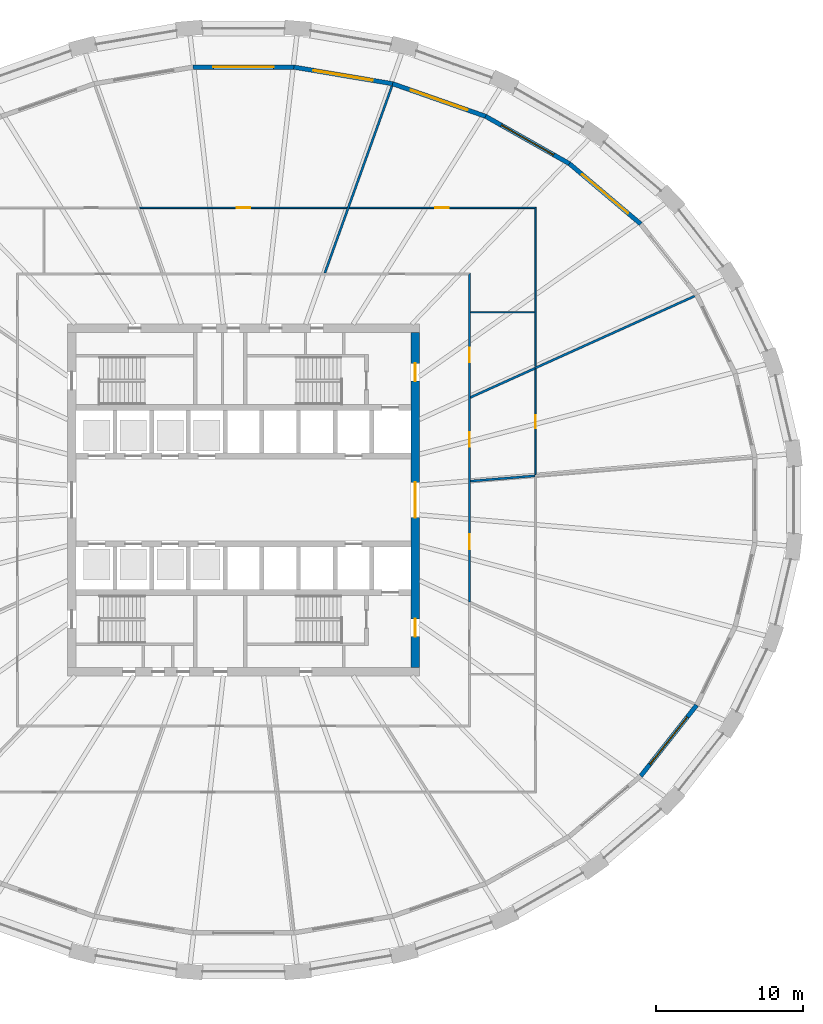
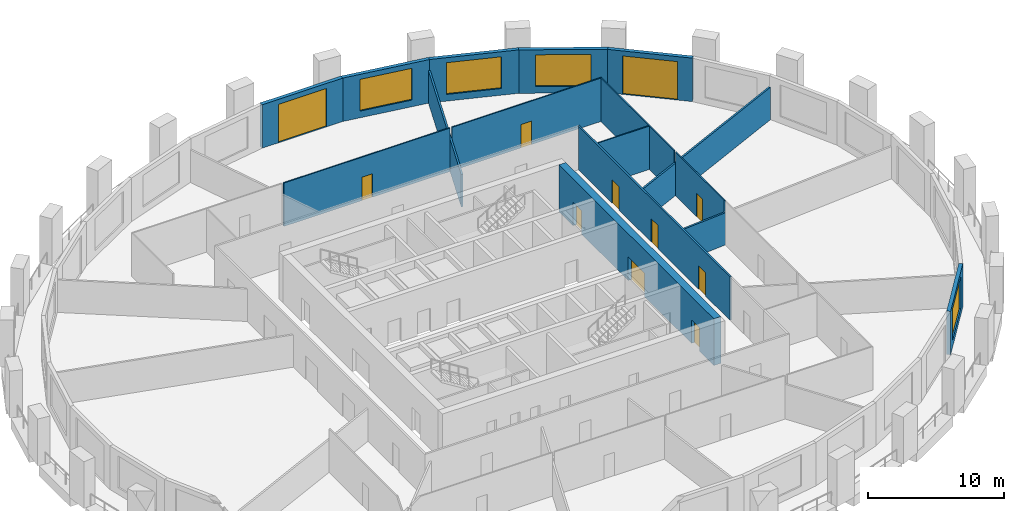
# One storey, part 7 of 11: 17 walls, 11 doors, 4 windows, 15 openings.
"""IFC4 building model written with IfcOpenShell, lengths in metres."""

from ifc_helpers import new_model, si_unit, direction, frame, frame_2d, origin, place, context, subcontext, project, spatial, polyline, rectangle, outline, extrude, material, layer, layer_set, type_object, element, fill, save


model = new_model("IFC4")

# Units and contexts
model_context = context("Model", 3, precision=1e-05, world=origin(), true_north=direction((0.0, 1.0)))
body_context = subcontext(model_context, "Body", "Model", "MODEL_VIEW")
ifc_project = project(units=[si_unit("LENGTHUNIT", "METRE"), si_unit("AREAUNIT", "SQUARE_METRE"), si_unit("VOLUMEUNIT", "CUBIC_METRE"), si_unit("PLANEANGLEUNIT", "RADIAN"), si_unit("MASSUNIT", "GRAM", prefix="KILO")], contexts=[model_context])

# Site, building, storey
site_placement = place(None, origin())
site = spatial("IfcSite", under=ifc_project, at=site_placement, CompositionType="ELEMENT")
building_placement = place(site_placement, origin())
building = spatial("IfcBuilding", under=site, at=building_placement, Name="Halqa Exchange Tower", CompositionType="ELEMENT")
storey_placement = place(building_placement, frame((0.0, 0.0, 40.300048828125)))
storey = spatial("IfcBuildingStorey", under=building, at=storey_placement, Name="L08", CompositionType="ELEMENT", Elevation=40.300048828125)

# Wall
ifc_material_1 = material(Name="Fire-rated gypsum board")
ifc_layer_1 = layer(ifc_material_1, 0.14990234375)
ifc_layer_set_1 = layer_set([ifc_layer_1], Name="Fire-rated gypsum board")
wall_type_1 = type_object("IfcWallType", Name="Fire partition EI 60 150", PredefinedType="PARTITIONING", material=ifc_layer_set_1)
wall_1_placement = place(storey_placement, frame((5.537841796875, 15.449951171875, 0.0), z_axis=(0.0, 0.0, 1.0), x_axis=(0.337949016046, 0.941164418448, 0.0)))
element("IfcWall", 1, at=wall_1_placement, inside=storey, type_object=wall_type_1, Name="L08-PWL-021", PredefinedType="PARTITIONING", context=body_context, shape_type="SweptSolid", body=[
    extrude(outline(polyline([(0.053466796875, -0.074951171875), (1.6376953125, -0.074951171875), (3.2216796875, -0.074951171875), (4.805908203125, -0.074951171875), (4.80810546875, -0.07421875), (4.808349609375, -0.074951171875), (6.55810546875, -0.074951171875), (8.3076171875, -0.074951171875), (10.057373046875, -0.074951171875), (11.80712890625, -0.074951171875), (13.556884765625, -0.074951171875), (13.556884765625, -0.067626953125), (13.556396484375, 0.00048828125), (13.54296875, 0.074951171875), (11.78515625, 0.074951171875), (10.027587890625, 0.074951171875), (8.269775390625, 0.074951171875), (6.511962890625, 0.074951171875), (4.754150390625, 0.074951171875), (4.660400390625, 0.041259765625), (4.648193359375, 0.074951171875), (3.098876953125, 0.074951171875), (1.54931640625, 0.074951171875), (0.0, 0.074951171875), (0.0, 0.07421875), (0.053466796875, -0.074951171875)])), origin(), (0.0, 0.0, 1.0), 2.909912109375),
])

# Wall, openings, doors
wall_2_placement = place(storey_placement, frame((15.39990234375, -6.9599609375, 0.0), z_axis=(0.0, 0.0, 1.0), x_axis=(0.0, 1.0, 0.0)))
wall_2 = element("IfcWall", 2, at=wall_2_placement, inside=storey, type_object=wall_type_1, Name="L08-PWL-027", PredefinedType="PARTITIONING", context=body_context, shape_type="SweptSolid", body=[
    extrude(outline(polyline([(0.0, -0.074951171875), (1.86962890625, -0.074951171875), (3.7392578125, -0.074951171875), (5.608642578125, -0.074951171875), (7.478271484375, -0.074951171875), (9.347900390625, -0.074951171875), (11.21728515625, -0.074951171875), (13.0869140625, -0.074951171875), (14.95654296875, -0.074951171875), (16.826171875, -0.074951171875), (18.69580078125, -0.074951171875), (20.565185546875, -0.074951171875), (22.434814453125, -0.074951171875), (22.284912109375, 0.074951171875), (20.427734375, 0.074951171875), (18.57080078125, 0.074951171875), (16.713623046875, 0.074951171875), (14.856689453125, 0.074951171875), (12.99951171875, 0.074951171875), (11.142578125, 0.074951171875), (9.285400390625, 0.074951171875), (7.42822265625, 0.074951171875), (5.5712890625, 0.074951171875), (3.714111328125, 0.074951171875), (1.857177734375, 0.074951171875), (0.0, 0.074951171875), (0.0, -0.074951171875)])), origin(), (0.0, 0.0, 1.0), 3.89990234375),
])
opening_1_placement = place(wall_2_placement, frame((3.6201171875, 0.0, 0.0)))
opening_1 = element("IfcOpeningElement", 3, at=opening_1_placement, cuts=wall_2, Name="Opening 02-12", PredefinedType="OPENING", context=body_context, shape_type="SweptSolid", body=[
    extrude(rectangle(XDim=1.0, YDim=2.10009765625, at=frame_2d((0.5, 1.050048828125))), frame((0.0, 0.0869140625, 0.0), z_axis=(0.0, -1.0, 0.0), x_axis=(1.0, 0.0, 0.0)), (0.0, 0.0, 1.0), 0.173828125),
])
opening_2_placement = place(wall_2_placement, frame((10.580078125, 0.0, 0.0)))
opening_2 = element("IfcOpeningElement", 4, at=opening_2_placement, cuts=wall_2, Name="Opening 02-13", PredefinedType="OPENING", context=body_context, shape_type="SweptSolid", body=[
    extrude(rectangle(XDim=1.0, YDim=2.10009765625, at=frame_2d((0.5, 1.050048828125))), frame((0.0, 0.0869140625, 0.0), z_axis=(0.0, -1.0, 0.0), x_axis=(1.0, 0.0, 0.0)), (0.0, 0.0, 1.0), 0.173828125),
])
opening_3_placement = place(wall_2_placement, frame((16.3349609375, 0.0, 0.0)))
opening_3 = element("IfcOpeningElement", 5, at=opening_3_placement, cuts=wall_2, Name="Opening 02-15", PredefinedType="OPENING", context=body_context, shape_type="SweptSolid", body=[
    extrude(rectangle(XDim=1.0, YDim=2.10009765625, at=frame_2d((0.5, 1.050048828125))), frame((0.0, 0.0869140625, 0.0), z_axis=(0.0, -1.0, 0.0), x_axis=(1.0, 0.0, 0.0)), (0.0, 0.0, 1.0), 0.173828125),
])
ifc_material_2 = material(Name="Steel fire door leaf", Category="steel")
door_type_1 = type_object("IfcDoorType", Name="Fire door FD30S 1000 x 2100", OperationType="SINGLE_SWING_LEFT", PredefinedType="DOOR", material=ifc_material_2)
door_1_placement = place(opening_1_placement, frame((1.0, 0.0, 0.0), z_axis=(0.0, 0.0, 1.0), x_axis=(-1.0, 0.0, 0.0)))
door_1 = element("IfcDoor", 6, at=door_1_placement, inside=storey, type_object=door_type_1, Name="L08-IDR-012", OperationType="SINGLE_SWING_LEFT", OverallHeight=2.10009765625, OverallWidth=1.0, PredefinedType="DOOR", context=body_context, shape_type="SweptSolid", body=[
    extrude(rectangle(XDim=1.0, YDim=2.10009765625, at=frame_2d((0.5, 1.050048828125))), frame((0.0, 0.02490234375, 0.0), z_axis=(0.0, -1.0, 0.0), x_axis=(1.0, 0.0, 0.0)), (0.0, 0.0, 1.0), 0.050048828125),
])
fill(opening_1, door_1)
door_2_placement = place(opening_2_placement, frame((1.0, 0.0, 0.0), z_axis=(0.0, 0.0, 1.0), x_axis=(-1.0, 0.0, 0.0)))
door_2 = element("IfcDoor", 7, at=door_2_placement, inside=storey, type_object=door_type_1, Name="L08-IDR-013", OperationType="SINGLE_SWING_LEFT", OverallHeight=2.10009765625, OverallWidth=1.0, PredefinedType="DOOR", context=body_context, shape_type="SweptSolid", body=[
    extrude(rectangle(XDim=1.0, YDim=2.10009765625, at=frame_2d((0.5, 1.050048828125))), frame((0.0, 0.02490234375, 0.0), z_axis=(0.0, -1.0, 0.0), x_axis=(1.0, 0.0, 0.0)), (0.0, 0.0, 1.0), 0.050048828125),
])
fill(opening_2, door_2)
door_3_placement = place(opening_3_placement, frame((1.0, 0.0, 0.0), z_axis=(0.0, 0.0, 1.0), x_axis=(-1.0, 0.0, 0.0)))
door_3 = element("IfcDoor", 8, at=door_3_placement, inside=storey, type_object=door_type_1, Name="L08-IDR-015", OperationType="SINGLE_SWING_RIGHT", OverallHeight=2.10009765625, OverallWidth=1.0, PredefinedType="DOOR", context=body_context, shape_type="SweptSolid", body=[
    extrude(rectangle(XDim=1.0, YDim=2.10009765625, at=frame_2d((0.5, 1.050048828125))), frame((0.0, 0.02490234375, 0.0), z_axis=(0.0, -1.0, 0.0), x_axis=(1.0, 0.0, 0.0)), (0.0, 0.0, 1.0), 0.050048828125),
])
fill(opening_3, door_3)

# Walls
wall_3_placement = place(storey_placement, frame((15.46923828125, 1.28564453125, 0.0), z_axis=(0.0, 0.0, 1.0), x_axis=(0.996634800256, 0.081969963512, 0.0)))
element("IfcWall", 9, at=wall_3_placement, inside=storey, type_object=wall_type_1, Name="L08-PWL-029", PredefinedType="PARTITIONING", context=body_context, shape_type="SweptSolid", body=[
    extrude(outline(polyline([(0.0, -0.074951171875), (1.463134765625, -0.074951171875), (2.92626953125, -0.074951171875), (4.389404296875, -0.074951171875), (4.389404296875, -0.07470703125), (4.392578125, -0.074951171875), (4.396240234375, -0.074951171875), (4.396240234375, 0.074951171875), (2.934814453125, 0.074951171875), (1.473388671875, 0.074951171875), (0.011962890625, 0.074951171875), (0.0, -0.0703125), (0.0, -0.074951171875)])), origin(), (0.0, 0.0, 1.0), 2.891845703125),
])
wall_4_placement = place(storey_placement, frame((15.444091796875, 6.97998046875, 0.0), z_axis=(0.0, 0.0, 1.0), x_axis=(0.911543776443, 0.411203044285, 0.0)))
element("IfcWall", 10, at=wall_4_placement, inside=storey, type_object=wall_type_1, Name="L08-PWL-030", PredefinedType="PARTITIONING", context=body_context, shape_type="SweptSolid", body=[
    extrude(outline(polyline([(0.0, -0.074951171875), (1.599853515625, -0.074951171875), (3.19970703125, -0.074951171875), (4.799560546875, -0.074951171875), (4.800048828125, -0.07373046875), (4.802490234375, -0.074951171875), (4.84228515625, -0.074951171875), (4.84228515625, 0.074951171875), (3.250732421875, 0.074951171875), (1.6591796875, 0.074951171875), (0.067626953125, 0.074951171875), (0.0, -0.074951171875)])), origin(), (0.0, 0.0, 1.0), 2.909912109375),
])
wall_5_placement = place(storey_placement, frame((19.8544921875, 8.9794921875, 0.0), z_axis=(0.0, 0.0, 1.0), x_axis=(0.911433390516, 0.411447657245, 0.0)))
element("IfcWall", 11, at=wall_5_placement, inside=storey, type_object=wall_type_1, Name="L08-PWL-039", PredefinedType="PARTITIONING", context=body_context, shape_type="SweptSolid", body=[
    extrude(outline(polyline([(11.947998046875, -0.074951171875), (11.947998046875, -0.06298828125), (11.946044921875, 0.00146484375), (11.927490234375, 0.074951171875), (9.962646484375, 0.074951171875), (7.998046875, 0.074951171875), (6.033203125, 0.074951171875), (4.068359375, 0.074951171875), (2.103515625, 0.074951171875), (0.138671875, 0.074951171875), (0.1376953125, 0.07275390625), (0.1328125, 0.074951171875), (0.0, 0.074951171875), (0.0, -0.043212890625), (0.070068359375, -0.074951171875), (2.0498046875, -0.074951171875), (4.029296875, -0.074951171875), (6.009033203125, -0.074951171875), (7.98876953125, -0.074951171875), (9.96826171875, -0.074951171875), (11.947998046875, -0.074951171875)])), origin(), (0.0, 0.0, 1.0), 2.909912109375),
])

# Wall, opening, door
ifc_material_3 = material(Name="Gypsum board")
ifc_layer_2 = layer(ifc_material_3, 0.10009765625)
ifc_layer_set_2 = layer_set([ifc_layer_2], Name="Gypsum board")
wall_type_2 = type_object("IfcWallType", Name="Partition 100 gypsum", PredefinedType="PARTITIONING", material=ifc_layer_set_2)
wall_6_placement = place(storey_placement, frame((-7.073974609375, 19.89990234375, 0.0), z_axis=(0.0, 0.0, 1.0), x_axis=(1.0, 0.0, 0.0)))
wall_6 = element("IfcWall", 12, at=wall_6_placement, inside=storey, type_object=wall_type_2, Name="L08-PWL-017", PredefinedType="PARTITIONING", context=body_context, shape_type="SweptSolid", body=[
    extrude(outline(polyline([(0.035888671875, -0.050048828125), (1.79541015625, -0.050048828125), (3.554931640625, -0.050048828125), (5.314453125, -0.050048828125), (7.073974609375, -0.050048828125), (8.83349609375, -0.050048828125), (10.593017578125, -0.050048828125), (12.3525390625, -0.050048828125), (14.112060546875, -0.050048828125), (14.14794921875, 0.050048828125), (14.14794921875, 0.050048828125), (12.37939453125, 0.050048828125), (10.61083984375, 0.050048828125), (8.842529296875, 0.050048828125), (7.073974609375, 0.050048828125), (5.305419921875, 0.050048828125), (3.537109375, 0.050048828125), (1.7685546875, 0.050048828125), (0.0, 0.050048828125), (0.0, 0.050048828125), (0.035888671875, -0.050048828125)])), origin(), (0.0, 0.0, 1.0), 3.89990234375),
])
opening_4_placement = place(wall_6_placement, frame((6.6240234375, 0.0, 0.0)))
opening_4 = element("IfcOpeningElement", 13, at=opening_4_placement, cuts=wall_6, Name="Opening 02-26", PredefinedType="OPENING", context=body_context, shape_type="SweptSolid", body=[
    extrude(rectangle(XDim=0.89990234375, YDim=2.10009765625, at=frame_2d((0.449951171875, 1.050048828125))), frame((0.0, 0.06201171875, 0.0), z_axis=(0.0, -1.0, 0.0), x_axis=(1.0, 0.0, 0.0)), (0.0, 0.0, 1.0), 0.1240234375),
])
ifc_material_4 = material(Name="Timber door leaf", Category="wood")
door_type_2 = type_object("IfcDoorType", Name="Door 900 x 2100", OperationType="SINGLE_SWING_LEFT", PredefinedType="DOOR", material=ifc_material_4)
door_4_placement = place(opening_4_placement, frame((0.89990234375, 0.0, 0.0), z_axis=(0.0, 0.0, 1.0), x_axis=(-1.0, 0.0, 0.0)))
door_4 = element("IfcDoor", 14, at=door_4_placement, inside=storey, type_object=door_type_2, Name="L08-IDR-026", OperationType="SINGLE_SWING_LEFT", OverallHeight=2.10009765625, OverallWidth=0.89990234375, PredefinedType="DOOR", context=body_context, shape_type="SweptSolid", body=[
    extrude(rectangle(XDim=0.89990234375, YDim=2.10009765625, at=frame_2d((0.449951171875, 1.050048828125))), frame((0.0, 0.02490234375, 0.0), z_axis=(0.0, -1.0, 0.0), x_axis=(1.0, 0.0, 0.0)), (0.0, 0.0, 1.0), 0.050048828125),
])
fill(opening_4, door_4)

wall_7_placement = place(storey_placement, frame((7.197998046875, 19.89990234375, 0.0), z_axis=(0.0, 0.0, 1.0), x_axis=(1.0, 0.0, 0.0)))
wall_7 = element("IfcWall", 15, at=wall_7_placement, inside=storey, type_object=wall_type_2, Name="L08-PWL-022", PredefinedType="PARTITIONING", context=body_context, shape_type="SweptSolid", body=[
    extrude(outline(polyline([(0.0, -0.050048828125), (1.807373046875, -0.050048828125), (3.61474609375, -0.050048828125), (5.422119140625, -0.050048828125), (7.229736328125, -0.050048828125), (9.037109375, -0.050048828125), (10.844482421875, -0.050048828125), (12.65185546875, -0.050048828125), (12.652099609375, -0.0498046875), (12.751953125, 0.050048828125), (10.935302734375, 0.050048828125), (9.11865234375, 0.050048828125), (7.302001953125, 0.050048828125), (5.4853515625, 0.050048828125), (3.668701171875, 0.050048828125), (1.85205078125, 0.050048828125), (0.035400390625, 0.050048828125), (0.0, -0.048583984375), (0.0, -0.050048828125)])), origin(), (0.0, 0.0, 1.0), 3.89990234375),
])
opening_5_placement = place(wall_7_placement, frame((5.8720703125, 0.0, 0.0)))
opening_5 = element("IfcOpeningElement", 16, at=opening_5_placement, cuts=wall_7, Name="Opening 02-25", PredefinedType="OPENING", context=body_context, shape_type="SweptSolid", body=[
    extrude(rectangle(XDim=0.89990234375, YDim=2.10009765625, at=frame_2d((0.449951171875, 1.050048828125))), frame((0.0, 0.06201171875, 0.0), z_axis=(0.0, -1.0, 0.0), x_axis=(1.0, 0.0, 0.0)), (0.0, 0.0, 1.0), 0.1240234375),
])
door_5_placement = place(opening_5_placement, frame((0.89990234375, 0.0, 0.0), z_axis=(0.0, 0.0, 1.0), x_axis=(-1.0, 0.0, 0.0)))
door_5 = element("IfcDoor", 17, at=door_5_placement, inside=storey, type_object=door_type_2, Name="L08-IDR-025", OperationType="SINGLE_SWING_LEFT", OverallHeight=2.10009765625, OverallWidth=0.89990234375, PredefinedType="DOOR", context=body_context, shape_type="SweptSolid", body=[
    extrude(rectangle(XDim=0.89990234375, YDim=2.10009765625, at=frame_2d((0.449951171875, 1.050048828125))), frame((0.0, 0.02490234375, 0.0), z_axis=(0.0, -1.0, 0.0), x_axis=(1.0, 0.0, 0.0)), (0.0, 0.0, 1.0), 0.050048828125),
])
fill(opening_5, door_5)

wall_8_placement = place(storey_placement, frame((19.89990234375, 8.93994140625, 0.0), z_axis=(0.0, 0.0, 1.0), x_axis=(0.0, -1.0, 0.0)))
wall_8 = element("IfcWall", 18, at=wall_8_placement, inside=storey, type_object=wall_type_2, Name="L08-PWL-037", PredefinedType="PARTITIONING", context=body_context, shape_type="SweptSolid", body=[
    extrude(outline(polyline([(7.20849609375, -0.050048828125), (7.20849609375, -0.045654296875), (7.20068359375, 0.050048828125), (5.400390625, 0.050048828125), (3.600341796875, 0.050048828125), (1.800048828125, 0.050048828125), (0.0, 0.050048828125), (0.0, 0.04931640625), (0.02880859375, -0.0146484375), (0.0, -0.027587890625), (0.0, -0.02783203125), (0.037353515625, -0.010986328125), (0.054931640625, -0.050048828125), (1.84326171875, -0.050048828125), (3.631591796875, -0.050048828125), (5.420166015625, -0.050048828125), (7.20849609375, -0.050048828125)])), origin(), (0.0, 0.0, 1.0), 3.89990234375),
])
opening_6_placement = place(wall_8_placement, frame((3.1650390625, 0.0, 0.0)))
opening_6 = element("IfcOpeningElement", 19, at=opening_6_placement, cuts=wall_8, Name="Opening 02-24", PredefinedType="OPENING", context=body_context, shape_type="SweptSolid", body=[
    extrude(rectangle(XDim=0.89990234375, YDim=2.10009765625, at=frame_2d((0.449951171875, 1.050048828125))), frame((0.0, 0.06201171875, 0.0), z_axis=(0.0, -1.0, 0.0), x_axis=(1.0, 0.0, 0.0)), (0.0, 0.0, 1.0), 0.1240234375),
])
door_6_placement = place(opening_6_placement, frame((0.89990234375, 0.0, 0.0), z_axis=(0.0, 0.0, 1.0), x_axis=(-1.0, 0.0, 0.0)))
door_6 = element("IfcDoor", 20, at=door_6_placement, inside=storey, type_object=door_type_2, Name="L08-IDR-024", OperationType="SINGLE_SWING_LEFT", OverallHeight=2.10009765625, OverallWidth=0.89990234375, PredefinedType="DOOR", context=body_context, shape_type="SweptSolid", body=[
    extrude(rectangle(XDim=0.89990234375, YDim=2.10009765625, at=frame_2d((0.449951171875, 1.050048828125))), frame((0.0, 0.02490234375, 0.0), z_axis=(0.0, -1.0, 0.0), x_axis=(1.0, 0.0, 0.0)), (0.0, 0.0, 1.0), 0.050048828125),
])
fill(opening_6, door_6)

# Walls
wall_9_placement = place(storey_placement, frame((19.89990234375, 9.1025390625, 0.0), z_axis=(0.0, 0.0, 1.0), x_axis=(0.0, 1.0, 0.0)))
element("IfcWall", 21, at=wall_9_placement, inside=storey, type_object=wall_type_2, Name="L08-PWL-038", PredefinedType="PARTITIONING", context=body_context, shape_type="SweptSolid", body=[
    extrude(outline(polyline([(0.0, -0.050048828125), (1.807861328125, -0.050048828125), (3.61572265625, -0.050048828125), (5.423828125, -0.050048828125), (7.231689453125, -0.050048828125), (9.03955078125, -0.050048828125), (10.847412109375, -0.050048828125), (10.747314453125, 0.050048828125), (8.9560546875, 0.050048828125), (7.164794921875, 0.050048828125), (5.37353515625, 0.050048828125), (3.58251953125, 0.050048828125), (1.791259765625, 0.050048828125), (0.0, 0.050048828125), (0.0, -0.050048828125)])), origin(), (0.0, 0.0, 1.0), 3.89990234375),
])
wall_10_placement = place(storey_placement, frame((19.85009765625, 12.7900390625, 0.0), z_axis=(0.0, 0.0, 1.0), x_axis=(-1.0, 0.0, 0.0)))
element("IfcWall", 22, at=wall_10_placement, inside=storey, type_object=wall_type_2, Name="L08-PWL-040", PredefinedType="PARTITIONING", context=body_context, shape_type="SweptSolid", body=[
    extrude(rectangle(XDim=4.375, YDim=0.10009765625, at=frame_2d((2.1875, 0.0))), origin(), (0.0, 0.0, 1.0), 3.89990234375),
])

# Wall, openings, doors
ifc_material_5 = material(Name="Concrete C80/95", Category="concrete")
ifc_layer_3 = layer(ifc_material_5, 0.60009765625)
ifc_layer_set_3 = layer_set([ifc_layer_3], Name="Concrete C80/95")
wall_type_3 = type_object("IfcWallType", Name="RC core wall 600 C80/95", PredefinedType="SHEAR", material=ifc_layer_set_3)
wall_11_placement = place(storey_placement, frame((11.699951171875, -11.39990234375, 0.0), z_axis=(0.0, 0.0, 1.0), x_axis=(0.0, 1.0, 0.0)))
wall_11 = element("IfcWall", 23, at=wall_11_placement, inside=storey, type_object=wall_type_3, Name="Core wall east", PredefinedType="SHEAR", context=body_context, shape_type="SweptSolid", body=[
    extrude(rectangle(XDim=22.7998046875, YDim=0.60009765625, at=frame_2d((11.39990234375, 0.0))), origin(), (0.0, 0.0, 1.0), 4.199951171875),
])
opening_7_placement = place(wall_11_placement, frame((10.199951171875, 0.0, 0.0)))
opening_7 = element("IfcOpeningElement", 24, at=opening_7_placement, cuts=wall_11, Name="Opening T02-C14", PredefinedType="OPENING", context=body_context, shape_type="SweptSolid", body=[
    extrude(rectangle(XDim=2.39990234375, YDim=2.10009765625, at=frame_2d((1.199951171875, 1.050048828125))), frame((0.0, 0.31201171875, 0.0), z_axis=(0.0, -1.0, 0.0), x_axis=(1.0, 0.0, 0.0)), (0.0, 0.0, 1.0), 0.6240234375),
])
opening_8_placement = place(wall_11_placement, frame((19.5, 0.0, 0.0)))
opening_8 = element("IfcOpeningElement", 25, at=opening_8_placement, cuts=wall_11, Name="Opening T02-C19", PredefinedType="OPENING", context=body_context, shape_type="SweptSolid", body=[
    extrude(rectangle(XDim=1.199951171875, YDim=2.10009765625, at=frame_2d((0.60009765625, 1.050048828125))), frame((0.0, 0.31201171875, 0.0), z_axis=(0.0, -1.0, 0.0), x_axis=(1.0, 0.0, 0.0)), (0.0, 0.0, 1.0), 0.6240234375),
])
opening_9_placement = place(wall_11_placement, frame((2.10009765625, 0.0, 0.0)))
opening_9 = element("IfcOpeningElement", 26, at=opening_9_placement, cuts=wall_11, Name="Opening T02-C20", PredefinedType="OPENING", context=body_context, shape_type="SweptSolid", body=[
    extrude(rectangle(XDim=1.199951171875, YDim=2.10009765625, at=frame_2d((0.60009765625, 1.050048828125))), frame((0.0, 0.31201171875, 0.0), z_axis=(0.0, -1.0, 0.0), x_axis=(1.0, 0.0, 0.0)), (0.0, 0.0, 1.0), 0.6240234375),
])
door_type_3 = type_object("IfcDoorType", Name="Firefighting lobby door FD90 1200 x 2100", OperationType="SINGLE_SWING_RIGHT", PredefinedType="DOOR", material=ifc_material_2)
door_7_placement = place(opening_8_placement, origin())
door_7 = element("IfcDoor", 27, at=door_7_placement, inside=storey, type_object=door_type_3, Name="Firefighting lobby door", OperationType="SINGLE_SWING_RIGHT", OverallHeight=2.10009765625, OverallWidth=1.199951171875, PredefinedType="DOOR", context=body_context, shape_type="SweptSolid", body=[
    extrude(rectangle(XDim=1.199951171875, YDim=2.10009765625, at=frame_2d((0.60009765625, 1.050048828125))), frame((0.0, 0.02490234375, 0.0), z_axis=(0.0, -1.0, 0.0), x_axis=(1.0, 0.0, 0.0)), (0.0, 0.0, 1.0), 0.050048828125),
])
fill(opening_8, door_7)
door_8_placement = place(opening_9_placement, origin())
door_8 = element("IfcDoor", 28, at=door_8_placement, inside=storey, type_object=door_type_3, Name="Firefighting lobby door", OperationType="SINGLE_SWING_LEFT", OverallHeight=2.10009765625, OverallWidth=1.199951171875, PredefinedType="DOOR", context=body_context, shape_type="SweptSolid", body=[
    extrude(rectangle(XDim=1.199951171875, YDim=2.10009765625, at=frame_2d((0.60009765625, 1.050048828125))), frame((0.0, 0.02490234375, 0.0), z_axis=(0.0, -1.0, 0.0), x_axis=(1.0, 0.0, 0.0)), (0.0, 0.0, 1.0), 0.050048828125),
])
fill(opening_9, door_8)
door_type_4 = type_object("IfcDoorType", Name="Lobby double door FD60 2400 x 2100", OperationType="DOUBLE_DOOR_SINGLE_SWING", PredefinedType="DOOR", material=ifc_material_2)
door_9_placement = place(opening_7_placement, origin())
door_9 = element("IfcDoor", 29, at=door_9_placement, inside=storey, type_object=door_type_4, Name="Lift lobby double door", OperationType="DOUBLE_DOOR_SINGLE_SWING", OverallHeight=2.10009765625, OverallWidth=2.39990234375, PredefinedType="DOOR", context=body_context, shape_type="SweptSolid", body=[
    extrude(rectangle(XDim=2.39990234375, YDim=2.10009765625, at=frame_2d((1.199951171875, 1.050048828125))), frame((0.0, 0.02490234375, 0.0), z_axis=(0.0, -1.0, 0.0), x_axis=(1.0, 0.0, 0.0)), (0.0, 0.0, 1.0), 0.050048828125),
])
fill(opening_7, door_9)

# Wall, opening, door
ifc_material_6 = material(Name="Limestone cladding", Category="masonry")
ifc_layer_4 = layer(ifc_material_6, 0.0400390625)
ifc_material_7 = material(Name="Ventilated cavity")
ifc_layer_5 = layer(ifc_material_7, 0.030029296875, ventilated=True)
ifc_material_8 = material(Name="Mineral wool insulation")
ifc_layer_6 = layer(ifc_material_8, 0.10009765625)
ifc_material_9 = material(Name="Concrete C30/37", Category="concrete")
ifc_layer_7 = layer(ifc_material_9, 0.10009765625)
ifc_material_10 = material(Name="Internal plaster")
ifc_layer_8 = layer(ifc_material_10, 0.030029296875)
ifc_layer_set_4 = layer_set([ifc_layer_4, ifc_layer_5, ifc_layer_6, ifc_layer_7, ifc_layer_8], Name="Stone-faced insulated wall 300")
wall_type_4 = type_object("IfcWallType", Name="Stone-faced insulated wall 300", PredefinedType="STANDARD", material=ifc_layer_set_4)
wall_12_placement = place(storey_placement, frame((27.053955078125, 18.8056640625, 0.0), z_axis=(0.0, 0.0, 1.0), x_axis=(-0.763577077796, 0.645716691951, 0.0)))
wall_12 = element("IfcWall", 30, at=wall_12_placement, inside=storey, type_object=wall_type_4, Name="Glass-line wall 4", PredefinedType="STANDARD", context=body_context, shape_type="SweptSolid", body=[
    extrude(outline(polyline([(-0.01513671875, -0.14990234375), (6.371337890625, -0.14990234375), (6.343017578125, 0.14990234375), (0.01513671875, 0.14990234375), (-0.01513671875, -0.14990234375)])), origin(), (0.0, 0.0, 1.0), 3.89990234375),
])
opening_10_placement = place(wall_12_placement, frame((1.128662109375, 0.0, 0.0)))
opening_10 = element("IfcOpeningElement", 31, at=opening_10_placement, cuts=wall_12, Name="Opening LG-F1-01", PredefinedType="OPENING", context=body_context, shape_type="SweptSolid", body=[
    extrude(rectangle(XDim=4.10009765625, YDim=3.449951171875, at=frame_2d((2.050048828125, 1.72509765625))), frame((0.0, 0.162109375, 0.0), z_axis=(0.0, -1.0, 0.0), x_axis=(1.0, 0.0, 0.0)), (0.0, 0.0, 1.0), 0.323974609375),
])
ifc_material_11 = material(Name="Clear low-emissivity glass in aluminium frame", Category="aluminium")
door_type_5 = type_object("IfcDoorType", Name="Glazed sliding loggia door 4100 x 3450", OperationType="DOUBLE_DOOR_SLIDING", PredefinedType="DOOR", material=ifc_material_11)
door_10_placement = place(opening_10_placement, origin())
door_10 = element("IfcDoor", 32, at=door_10_placement, inside=storey, type_object=door_type_5, Name="Loggia door 1", OperationType="DOUBLE_DOOR_SLIDING", OverallHeight=3.449951171875, OverallWidth=4.10009765625, PredefinedType="DOOR", context=body_context, shape_type="SweptSolid", body=[
    extrude(rectangle(XDim=4.10009765625, YDim=3.449951171875, at=frame_2d((2.050048828125, 1.72509765625))), frame((0.0, 0.02490234375, 0.0), z_axis=(0.0, -1.0, 0.0), x_axis=(1.0, 0.0, 0.0)), (0.0, 0.0, 1.0), 0.050048828125),
])
fill(opening_10, door_10)

# Wall, opening, window
wall_13_placement = place(storey_placement, frame((22.19970703125, 22.91064453125, 0.0), z_axis=(0.0, 0.0, 1.0), x_axis=(-0.87061279013, 0.491968870623, 0.0)))
wall_13 = element("IfcWall", 33, at=wall_13_placement, inside=storey, type_object=wall_type_4, Name="Glass-line wall 5", PredefinedType="STANDARD", context=body_context, shape_type="SweptSolid", body=[
    extrude(outline(polyline([(-0.01416015625, -0.14990234375), (6.56689453125, -0.14990234375), (6.5400390625, 0.14990234375), (0.01416015625, 0.14990234375), (-0.01416015625, -0.14990234375)])), origin(), (0.0, 0.0, 1.0), 3.89990234375),
])
opening_11_placement = place(wall_13_placement, frame((1.226806640625, 0.0, 0.60009765625)))
opening_11 = element("IfcOpeningElement", 34, at=opening_11_placement, cuts=wall_13, Name="Opening W-F1-05", PredefinedType="OPENING", context=body_context, shape_type="SweptSolid", body=[
    extrude(rectangle(XDim=4.10009765625, YDim=2.85009765625, at=frame_2d((2.050048828125, 1.425048828125))), frame((0.0, 0.162109375, 0.0), z_axis=(0.0, -1.0, 0.0), x_axis=(1.0, 0.0, 0.0)), (0.0, 0.0, 1.0), 0.323974609375),
])
window_type = type_object("IfcWindowType", Name="Fixed clear glazed window 4100 x 2850", PartitioningType="TRIPLE_PANEL_VERTICAL", PredefinedType="WINDOW", material=ifc_material_11)
window_1_placement = place(opening_11_placement, origin())
window_1 = element("IfcWindow", 35, at=window_1_placement, inside=storey, type_object=window_type, Name="Window 1", OverallHeight=2.85009765625, OverallWidth=4.10009765625, PartitioningType="TRIPLE_PANEL_VERTICAL", PredefinedType="WINDOW", context=body_context, shape_type="SweptSolid", body=[
    extrude(rectangle(XDim=4.10009765625, YDim=2.85009765625, at=frame_2d((2.050048828125, 1.425048828125))), frame((0.0, 0.030029296875, 0.0), z_axis=(0.0, -1.0, 0.0), x_axis=(1.0, 0.0, 0.0)), (0.0, 0.0, 1.0), 0.06005859375),
])
fill(opening_11, window_1)

wall_14_placement = place(storey_placement, frame((16.494140625, 26.134765625, 0.0), z_axis=(0.0, 0.0, 1.0), x_axis=(-0.943778979427, 0.330577128657, 0.0)))
wall_14 = element("IfcWall", 36, at=wall_14_placement, inside=storey, type_object=wall_type_4, Name="Glass-line wall 6", PredefinedType="STANDARD", context=body_context, shape_type="SweptSolid", body=[
    extrude(outline(polyline([(-0.013427734375, -0.14990234375), (6.72802734375, -0.14990234375), (6.70263671875, 0.14990234375), (0.013427734375, 0.14990234375), (-0.013427734375, -0.14990234375)])), origin(), (0.0, 0.0, 1.0), 3.89990234375),
])
opening_12_placement = place(wall_14_placement, frame((1.3076171875, 0.0, 0.60009765625)))
opening_12 = element("IfcOpeningElement", 37, at=opening_12_placement, cuts=wall_14, Name="Opening W-F1-06", PredefinedType="OPENING", context=body_context, shape_type="SweptSolid", body=[
    extrude(rectangle(XDim=4.10009765625, YDim=2.85009765625, at=frame_2d((2.050048828125, 1.425048828125))), frame((0.0, 0.162109375, 0.0), z_axis=(0.0, -1.0, 0.0), x_axis=(1.0, 0.0, 0.0)), (0.0, 0.0, 1.0), 0.323974609375),
])
window_2_placement = place(opening_12_placement, origin())
window_2 = element("IfcWindow", 38, at=window_2_placement, inside=storey, type_object=window_type, Name="Window 1", OverallHeight=2.85009765625, OverallWidth=4.10009765625, PartitioningType="TRIPLE_PANEL_VERTICAL", PredefinedType="WINDOW", context=body_context, shape_type="SweptSolid", body=[
    extrude(rectangle(XDim=4.10009765625, YDim=2.85009765625, at=frame_2d((2.050048828125, 1.425048828125))), frame((0.0, 0.030029296875, 0.0), z_axis=(0.0, -1.0, 0.0), x_axis=(1.0, 0.0, 0.0)), (0.0, 0.0, 1.0), 0.06005859375),
])
fill(opening_12, window_2)

wall_15_placement = place(storey_placement, frame((10.15625, 28.354736328125, 0.0), z_axis=(0.0, 0.0, 1.0), x_axis=(-0.986145179906, 0.165884550659, 0.0)))
wall_15 = element("IfcWall", 39, at=wall_15_placement, inside=storey, type_object=wall_type_4, Name="Glass-line wall 7", PredefinedType="STANDARD", context=body_context, shape_type="SweptSolid", body=[
    extrude(outline(polyline([(-0.0126953125, -0.14990234375), (6.833984375, -0.14990234375), (6.80908203125, 0.14990234375), (0.0126953125, 0.14990234375), (-0.0126953125, -0.14990234375)])), origin(), (0.0, 0.0, 1.0), 3.89990234375),
])
opening_13_placement = place(wall_15_placement, frame((1.36083984375, 0.0, 0.60009765625)))
opening_13 = element("IfcOpeningElement", 40, at=opening_13_placement, cuts=wall_15, Name="Opening W-F1-07", PredefinedType="OPENING", context=body_context, shape_type="SweptSolid", body=[
    extrude(rectangle(XDim=4.10009765625, YDim=2.85009765625, at=frame_2d((2.050048828125, 1.425048828125))), frame((0.0, 0.162109375, 0.0), z_axis=(0.0, -1.0, 0.0), x_axis=(1.0, 0.0, 0.0)), (0.0, 0.0, 1.0), 0.323974609375),
])
window_3_placement = place(opening_13_placement, origin())
window_3 = element("IfcWindow", 41, at=window_3_placement, inside=storey, type_object=window_type, Name="Window 1", OverallHeight=2.85009765625, OverallWidth=4.10009765625, PartitioningType="TRIPLE_PANEL_VERTICAL", PredefinedType="WINDOW", context=body_context, shape_type="SweptSolid", body=[
    extrude(rectangle(XDim=4.10009765625, YDim=2.85009765625, at=frame_2d((2.050048828125, 1.425048828125))), frame((0.0, 0.030029296875, 0.0), z_axis=(0.0, -1.0, 0.0), x_axis=(1.0, 0.0, 0.0)), (0.0, 0.0, 1.0), 0.06005859375),
])
fill(opening_13, window_3)

# Wall, opening, door
wall_16_placement = place(storey_placement, frame((3.42919921875, 29.486328125, 0.0), z_axis=(0.0, 0.0, 1.0), x_axis=(-1.0, 0.0, 0.0)))
wall_16 = element("IfcWall", 42, at=wall_16_placement, inside=storey, type_object=wall_type_4, Name="Glass-line wall 8", PredefinedType="STANDARD", context=body_context, shape_type="SweptSolid", body=[
    extrude(outline(polyline([(-0.012451171875, -0.14990234375), (6.870849609375, -0.14990234375), (6.845947265625, 0.14990234375), (0.012451171875, 0.14990234375), (-0.012451171875, -0.14990234375)])), origin(), (0.0, 0.0, 1.0), 3.89990234375),
])
opening_14_placement = place(wall_16_placement, frame((1.379150390625, 0.0, 0.0)))
opening_14 = element("IfcOpeningElement", 43, at=opening_14_placement, cuts=wall_16, Name="Opening LG-F1-02", PredefinedType="OPENING", context=body_context, shape_type="SweptSolid", body=[
    extrude(rectangle(XDim=4.10009765625, YDim=3.449951171875, at=frame_2d((2.050048828125, 1.72509765625))), frame((0.0, 0.162109375, 0.0), z_axis=(0.0, -1.0, 0.0), x_axis=(1.0, 0.0, 0.0)), (0.0, 0.0, 1.0), 0.323974609375),
])
door_11_placement = place(opening_14_placement, origin())
door_11 = element("IfcDoor", 44, at=door_11_placement, inside=storey, type_object=door_type_5, Name="Loggia door 2", OperationType="DOUBLE_DOOR_SLIDING", OverallHeight=3.449951171875, OverallWidth=4.10009765625, PredefinedType="DOOR", context=body_context, shape_type="SweptSolid", body=[
    extrude(rectangle(XDim=4.10009765625, YDim=3.449951171875, at=frame_2d((2.050048828125, 1.72509765625))), frame((0.0, 0.02490234375, 0.0), z_axis=(0.0, -1.0, 0.0), x_axis=(1.0, 0.0, 0.0)), (0.0, 0.0, 1.0), 0.050048828125),
])
fill(opening_14, door_11)

# Wall, opening, window
wall_17_placement = place(storey_placement, frame((27.053955078125, -18.8056640625, 0.0), z_axis=(0.0, 0.0, 1.0), x_axis=(0.61992334328, 0.784662378642, 0.0)))
wall_17 = element("IfcWall", 45, at=wall_17_placement, inside=storey, type_object=wall_type_4, Name="Glass-line wall 29", PredefinedType="STANDARD", context=body_context, shape_type="SweptSolid", body=[
    extrude(outline(polyline([(-0.01513671875, -0.14990234375), (6.1708984375, -0.14990234375), (6.138671875, 0.14990234375), (0.01513671875, 0.14990234375), (-0.01513671875, -0.14990234375)])), origin(), (0.0, 0.0, 1.0), 3.89990234375),
])
opening_15_placement = place(wall_17_placement, frame((1.02734375, 0.0, 0.60009765625)))
opening_15 = element("IfcOpeningElement", 46, at=opening_15_placement, cuts=wall_17, Name="Opening W-F1-29", PredefinedType="OPENING", context=body_context, shape_type="SweptSolid", body=[
    extrude(rectangle(XDim=4.10009765625, YDim=2.85009765625, at=frame_2d((2.050048828125, 1.425048828125))), frame((0.0, 0.162109375, 0.0), z_axis=(0.0, -1.0, 0.0), x_axis=(1.0, 0.0, 0.0)), (0.0, 0.0, 1.0), 0.323974609375),
])
window_4_placement = place(opening_15_placement, origin())
window_4 = element("IfcWindow", 47, at=window_4_placement, inside=storey, type_object=window_type, Name="Window 1", OverallHeight=2.85009765625, OverallWidth=4.10009765625, PartitioningType="TRIPLE_PANEL_VERTICAL", PredefinedType="WINDOW", context=body_context, shape_type="SweptSolid", body=[
    extrude(rectangle(XDim=4.10009765625, YDim=2.85009765625, at=frame_2d((2.050048828125, 1.425048828125))), frame((0.0, 0.030029296875, 0.0), z_axis=(0.0, -1.0, 0.0), x_axis=(1.0, 0.0, 0.0)), (0.0, 0.0, 1.0), 0.06005859375),
])
fill(opening_15, window_4)

save(model, "model.ifc")
